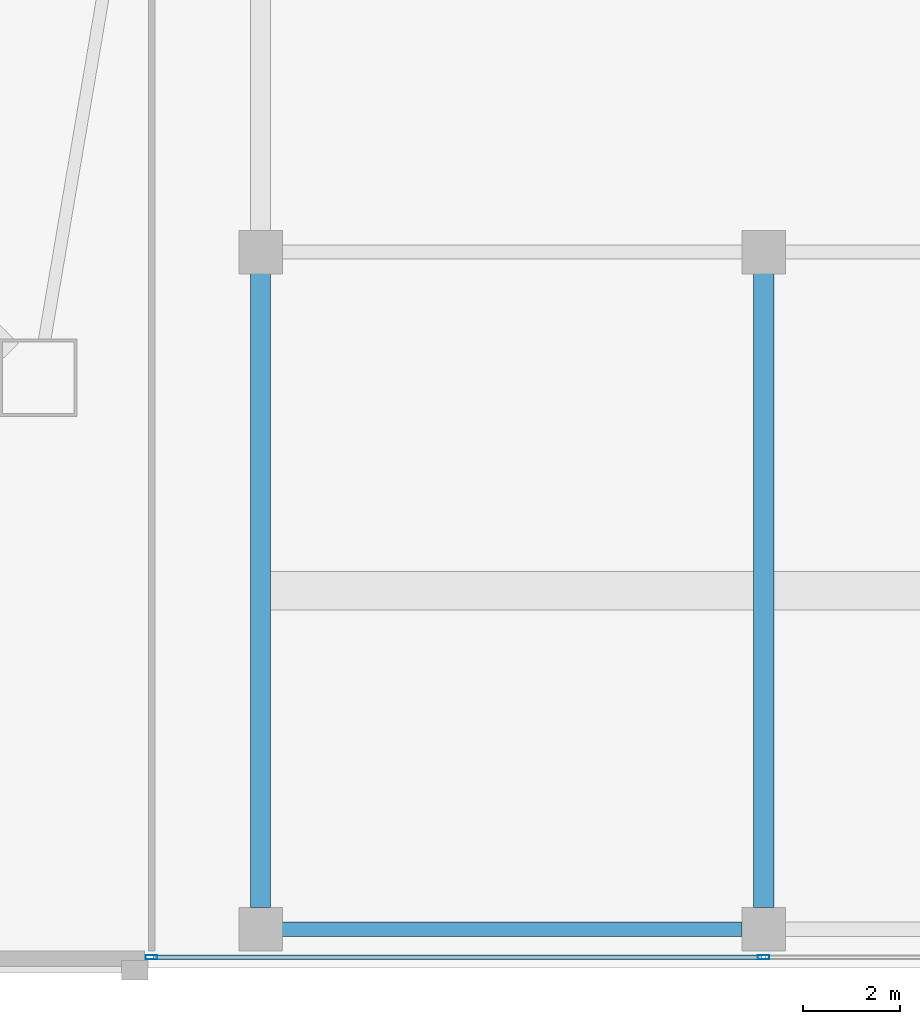
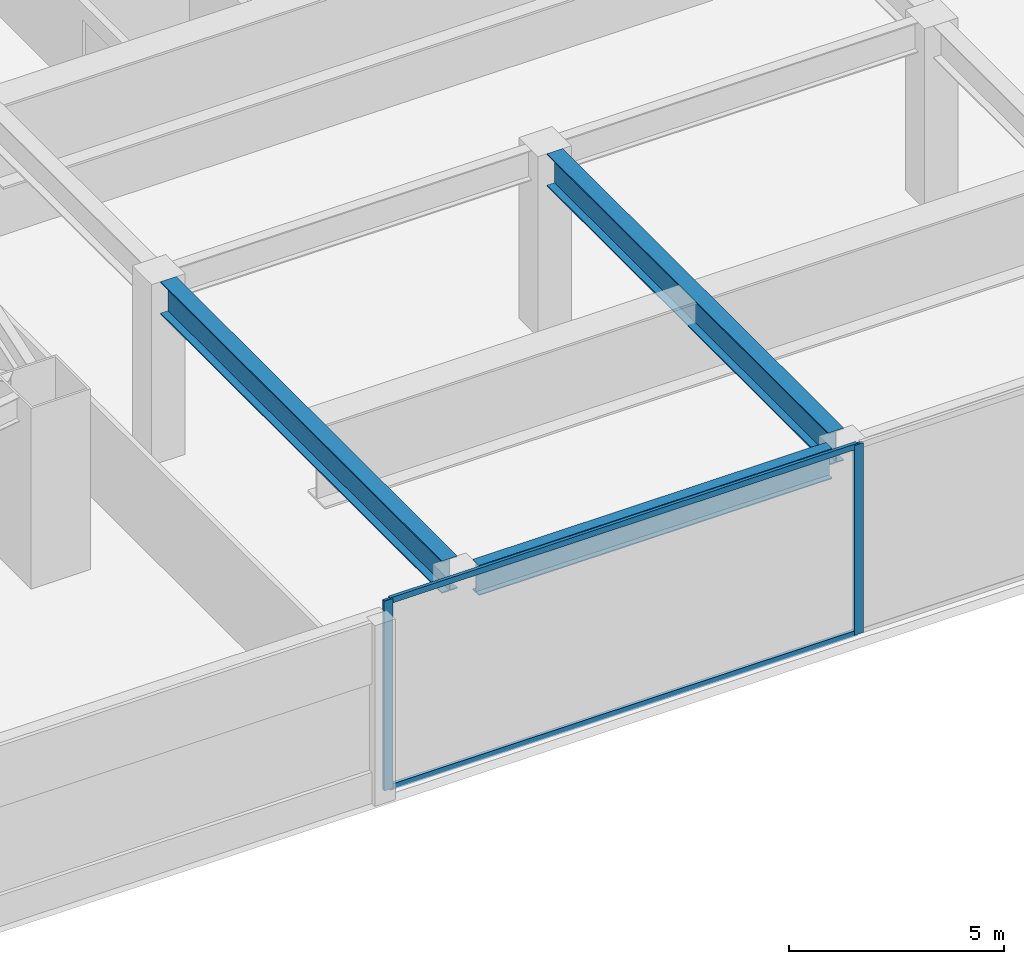
# One storey, part 14 of 48: 4 members, 3 beams, 1 element without a shape of its own.
"""IFC4 building model written with IfcOpenShell, lengths in metres."""

from ifc_helpers import new_model, si_unit, direction, frame, origin, origin_2d, place, context, subcontext, project, spatial, hollow_rectangle, i_section, extrude, material, material_profile, profile_set, type_object, element, aggregate, save


model = new_model("IFC4")

# Units and contexts
model_context = context("Model", 3, precision=1e-05, world=origin(), true_north=direction((0.0, 1.0)))
body_context = subcontext(model_context, "Body", "Model", "MODEL_VIEW")
ifc_project = project(units=[si_unit("LENGTHUNIT", "METRE"), si_unit("AREAUNIT", "SQUARE_METRE"), si_unit("VOLUMEUNIT", "CUBIC_METRE"), si_unit("PLANEANGLEUNIT", "RADIAN"), si_unit("MASSUNIT", "GRAM", prefix="KILO")], contexts=[model_context])

# Site, building, storey
site_placement = place(None, origin())
site = spatial("IfcSite", under=ifc_project, at=site_placement, CompositionType="ELEMENT")
building_placement = place(site_placement, origin())
building = spatial("IfcBuilding", under=site, at=building_placement, Name="Tashvorn Skyway Center", CompositionType="ELEMENT")
storey_placement = place(building_placement, frame((0.0, 0.0, 10.199951171875)))
storey = spatial("IfcBuildingStorey", under=building, at=storey_placement, Name="L02", CompositionType="ELEMENT", Elevation=10.199951171875)

# Beams
ifc_material_1 = material(Name="Steel ASTM A992 Grade 50", Category="steel")
ifc_material_profile_1 = material_profile(ifc_material_1, i_section(OverallWidth=0.2919921875, OverallDepth=0.85888671875, WebThickness=0.01708984375, FlangeThickness=0.031005859375, at=origin_2d()), Name="W33X169")
ifc_profile_set_1 = profile_set([ifc_material_profile_1], Name="Steel ASTM A992 Grade 50")
beam_type_1 = type_object("IfcBeamType", Name="BM-BEAM-W33X169", PredefinedType="BEAM", material=ifc_profile_set_1)
beam_placement = place(storey_placement, frame((66.844970703125, 0.800048828125, 4.71044921875), z_axis=(1.0, 0.0, 0.0), x_axis=(0.0, 1.0, 0.0)))
element("IfcBeam", 1, at=beam_placement, inside=storey, type_object=beam_type_1, Name="L02 Central Podium Girder A 01", PredefinedType="BEAM", context=body_context, shape_type="SweptSolid", body=[
    extrude(i_section(OverallWidth=0.2919921875, OverallDepth=0.85888671875, WebThickness=0.01708984375, FlangeThickness=0.031005859375, at=origin_2d()), origin(), (0.0, 0.0, 1.0), 9.510009765625),
])
ifc_material_2 = material(Name="Steel ASTM A913 Grade 65", Category="steel")
ifc_material_profile_2 = material_profile(ifc_material_2, i_section(OverallWidth=0.4189453125, OverallDepth=0.927001953125, WebThickness=0.019287109375, FlangeThickness=0.031982421875, at=origin_2d()), Name="W36X231")
ifc_profile_set_2 = profile_set([ifc_material_profile_2], Name="Steel ASTM A913 Grade 65")
beam_type_2 = type_object("IfcBeamType", Name="BM-BEAM-W36X231", PredefinedType="BEAM", material=ifc_profile_set_2)
for number, where, z_axis, x_axis, name in (
    (2, (66.39990234375, 1.2451171875, 4.676513671875), (0.0, 1.0, 0.0), (-1.0, 0.0, 0.0), "L02 North-South Podium Girder 03-S"),
    (3, (76.800048828125, 1.2451171875, 4.676513671875), (0.0, 1.0, 0.0), (-1.0, 0.0, 0.0), "L02 North-South Podium Girder 04-S"),
):
    element("IfcBeam", number, at=place(storey_placement, frame(where, z_axis=z_axis, x_axis=x_axis)), inside=storey, type_object=beam_type_2, Name=name, PredefinedType="BEAM", context=body_context, shape_type="SweptSolid", body=[
        extrude(i_section(OverallWidth=0.4189453125, OverallDepth=0.927001953125, WebThickness=0.019287109375, FlangeThickness=0.031982421875, at=origin_2d()), origin(), (0.0, 0.0, 1.0), 13.10986328125),
    ])

# Curtain wall, members
ifc_material_3 = material(Name="Thermally broken bronze-anodized aluminium 6063-T6", Category="aluminium")
curtain_wall_type = type_object("IfcCurtainWallType", Name="CW-CW-Z1", PredefinedType="NOTDEFINED", material=ifc_material_3)
curtain_wall_placement = place(storey_placement, origin())
curtain_wall = element("IfcCurtainWall", 4, at=curtain_wall_placement, inside=storey, type_object=curtain_wall_type, Name="L02 South Station Arcade Curtain Wall 2", PredefinedType="NOTDEFINED")
ifc_material_profile_3 = material_profile(ifc_material_3, hollow_rectangle(XDim=0.0849609375, YDim=0.239990234375, WallThickness=0.0048828125, at=origin_2d()), Name="ALU-MULL-85x240")
ifc_profile_set_3 = profile_set([ifc_material_profile_3], Name="Thermally broken bronze-anodized aluminium 6063-T6")
member_type_1 = type_object("IfcMemberType", Name="CWM-CW-Z1", PredefinedType="MULLION", material=ifc_profile_set_3)
member_1_placement = place(storey_placement, frame((76.800048828125, 0.219970703125, 0.0), z_axis=(0.0, 0.0, 1.0), x_axis=(0.0, -1.0, 0.0)))
member_1 = element("IfcMember", 5, at=member_1_placement, type_object=member_type_1, Name="CW-Z1 mullion 2", PredefinedType="MULLION", context=body_context, shape_type="SweptSolid", body=[
    extrude(hollow_rectangle(XDim=0.0849609375, YDim=0.239990234375, WallThickness=0.0048828125, at=origin_2d()), origin(), (0.0, 0.0, 1.0), 5.400146484375),
])
member_2_placement = place(storey_placement, frame((64.142578125, 0.219970703125, 0.0), z_axis=(0.0, 0.0, 1.0), x_axis=(0.0, -1.0, 0.0)))
member_2 = element("IfcMember", 6, at=member_2_placement, type_object=member_type_1, Name="CW-Z1 mullion 3", PredefinedType="MULLION", context=body_context, shape_type="SweptSolid", body=[
    extrude(hollow_rectangle(XDim=0.0849609375, YDim=0.239990234375, WallThickness=0.0048828125, at=origin_2d()), origin(), (0.0, 0.0, 1.0), 5.400146484375),
])
ifc_material_profile_4 = material_profile(ifc_material_3, hollow_rectangle(XDim=0.0849609375, YDim=0.1650390625, WallThickness=0.0048828125, at=origin_2d()), Name="ALU-TRAN-85x165")
ifc_profile_set_4 = profile_set([ifc_material_profile_4], Name="Thermally broken bronze-anodized aluminium 6063-T6")
member_type_2 = type_object("IfcMemberType", Name="CWT-CW-Z1", PredefinedType="USERDEFINED", material=ifc_profile_set_4)
member_3_placement = place(storey_placement, frame((76.757568359375, 0.219970703125, 0.04248046875), z_axis=(-1.0, 0.0, 0.0), x_axis=(0.0, -1.0, 0.0)))
member_3 = element("IfcMember", 7, at=member_3_placement, type_object=member_type_2, Name="CW-Z1 transom 2.1", ObjectType="TRANSOM", PredefinedType="USERDEFINED", context=body_context, shape_type="SweptSolid", body=[
    extrude(hollow_rectangle(XDim=0.0849609375, YDim=0.1650390625, WallThickness=0.0048828125, at=origin_2d()), origin(), (0.0, 0.0, 1.0), 12.572509765625),
])
member_4_placement = place(storey_placement, frame((76.757568359375, 0.219970703125, 5.357666015625), z_axis=(-1.0, 0.0, 0.0), x_axis=(0.0, -1.0, 0.0)))
member_4 = element("IfcMember", 8, at=member_4_placement, type_object=member_type_2, Name="CW-Z1 transom 2.2", ObjectType="TRANSOM", PredefinedType="USERDEFINED", context=body_context, shape_type="SweptSolid", body=[
    extrude(hollow_rectangle(XDim=0.0849609375, YDim=0.1650390625, WallThickness=0.0048828125, at=origin_2d()), origin(), (0.0, 0.0, 1.0), 12.572509765625),
])
aggregate(curtain_wall, [member_1, member_2, member_3, member_4])

save(model, "model.ifc")
